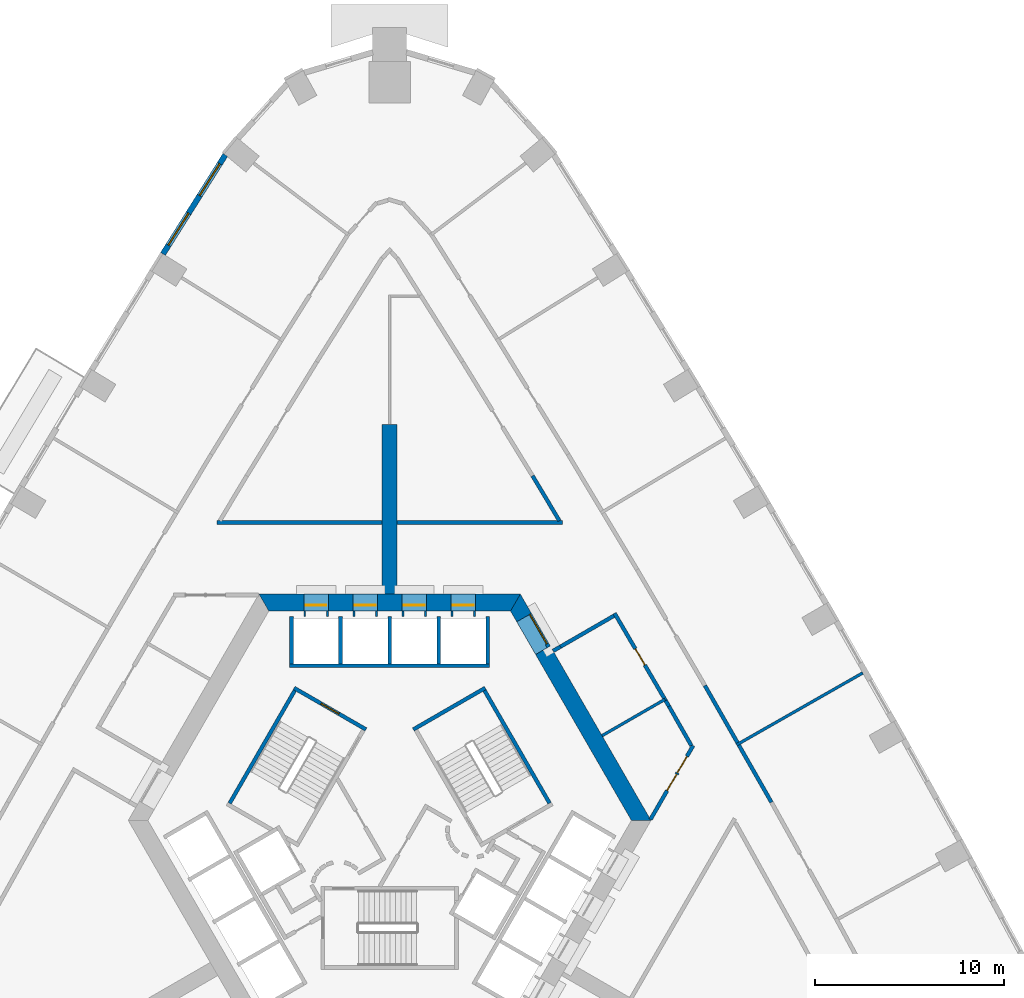
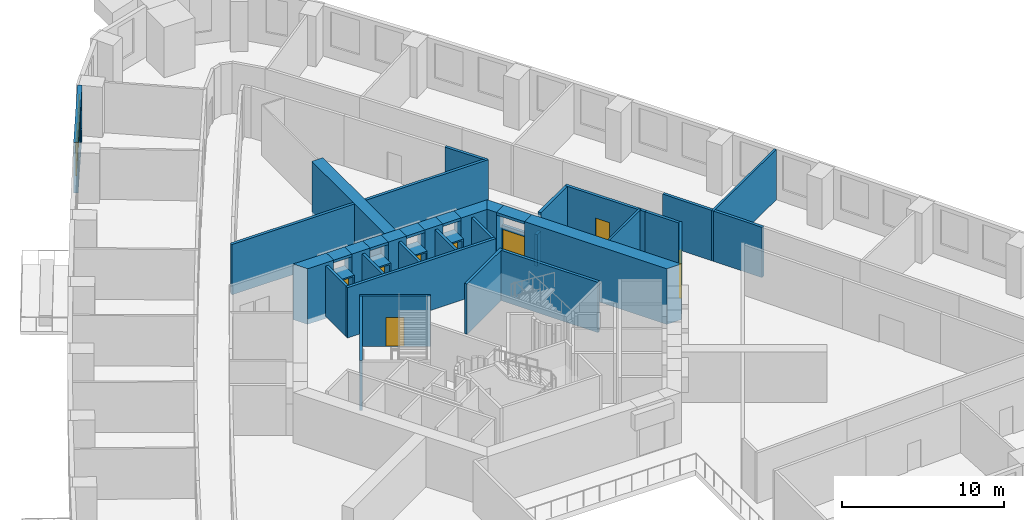
# One storey, part 9 of 15: 42 walls, 9 doors, 2 windows, 11 openings.
"""IFC4 building model written with IfcOpenShell, lengths in metres."""

from ifc_helpers import new_model, si_unit, direction, frame, frame_2d, origin, place, context, subcontext, project, spatial, polyline, rectangle, outline, extrude, material, layer, layer_set, type_object, element, fill, save


model = new_model("IFC4")

# Units and contexts
model_context = context("Model", 3, precision=1e-05, world=origin(), true_north=direction((0.0, 1.0)))
body_context = subcontext(model_context, "Body", "Model", "MODEL_VIEW")
ifc_project = project(units=[si_unit("LENGTHUNIT", "METRE"), si_unit("AREAUNIT", "SQUARE_METRE"), si_unit("VOLUMEUNIT", "CUBIC_METRE"), si_unit("PLANEANGLEUNIT", "RADIAN"), si_unit("MASSUNIT", "GRAM", prefix="KILO")], contexts=[model_context])

# Site, building, storey
site_placement = place(None, origin())
site = spatial("IfcSite", under=ifc_project, at=site_placement, CompositionType="ELEMENT")
building_placement = place(site_placement, origin())
building = spatial("IfcBuilding", under=site, at=building_placement, Name="Entoto Arch Interchange Tower", CompositionType="ELEMENT")
storey_placement = place(building_placement, frame((0.0, 0.0, 120.199951171875)))
storey = spatial("IfcBuildingStorey", under=building, at=storey_placement, Name="L26", CompositionType="ELEMENT", Elevation=120.199951171875)

# Wall
ifc_material_1 = material(Name="Concrete C60/75", Category="concrete")
ifc_layer_1 = layer(ifc_material_1, 0.800048828125)
ifc_layer_set_1 = layer_set([ifc_layer_1], Name="Concrete C60/75")
wall_type_1 = type_object("IfcWallType", Name="Buttress wall 800 C60/75", PredefinedType="SHEAR", material=ifc_layer_set_1)
wall_1_placement = place(storey_placement, frame((0.0, 14.5, -0.39990234375), z_axis=(0.0, 0.0, 1.0), x_axis=(0.0, 1.0, 0.0)))
element("IfcWall", 1, at=wall_1_placement, inside=storey, type_object=wall_type_1, Name="Buttress wall N L26", PredefinedType="SHEAR", context=body_context, shape_type="SweptSolid", body=[
    extrude(rectangle(XDim=9.0, YDim=0.800048828125, at=frame_2d((4.5, 0.0))), origin(), (0.0, 0.0, 1.0), 4.199951171875),
])

# Wall, opening, door
ifc_material_2 = material(Name="Reinforced concrete C40/50", Category="concrete")
ifc_layer_2 = layer(ifc_material_2, 0.199951171875)
ifc_layer_set_2 = layer_set([ifc_layer_2], Name="Reinforced concrete C40/50")
wall_type_2 = type_object("IfcWallType", Name="CORE GAP INFILL WALL", PredefinedType="PARTITIONING", material=ifc_layer_set_2)
wall_2_placement = place(storey_placement, frame((8.429931640625, 11.697998046875, 0.0), z_axis=(0.0, 0.0, 1.0), x_axis=(-0.50002537861, 0.866010750942, 0.0)))
wall_2 = element("IfcWall", 2, at=wall_2_placement, inside=storey, type_object=wall_type_2, Name="wall:L26:gap2", PredefinedType="PARTITIONING", context=body_context, shape_type="SweptSolid", body=[
    extrude(rectangle(XDim=2.0, YDim=0.199951171875, at=frame_2d((1.0, 0.0))), origin(), (0.0, 0.0, 1.0), 2.400146484375),
])
opening_1_placement = place(wall_2_placement, frame((0.18994140625, 0.0, 0.0)))
opening_1 = element("IfcOpeningElement", 3, at=opening_1_placement, cuts=wall_2, Name="Opening L26-D92", PredefinedType="OPENING", context=body_context, shape_type="SweptSolid", body=[
    extrude(rectangle(XDim=1.800048828125, YDim=2.10009765625, at=frame_2d((0.89990234375, 1.050048828125))), frame((0.0, 0.10986328125, 0.0), z_axis=(0.0, -1.0, 0.0), x_axis=(1.0, 0.0, 0.0)), (0.0, 0.0, 1.0), 0.219970703125),
])
ifc_material_3 = material(Name="Fire-rated Steel S235 door and frame", Category="steel")
door_type_1 = type_object("IfcDoorType", Name="DOOR FD-18 1800x2100", OperationType="DOUBLE_DOOR_SINGLE_SWING", PredefinedType="DOOR", material=ifc_material_3)
door_1_placement = place(opening_1_placement, origin())
door_1 = element("IfcDoor", 4, at=door_1_placement, inside=storey, type_object=door_type_1, Name="door:L26:gap2", OperationType="DOUBLE_DOOR_SINGLE_SWING", OverallHeight=2.10009765625, OverallWidth=1.800048828125, PredefinedType="DOOR", context=body_context, shape_type="SweptSolid", body=[
    extrude(rectangle(XDim=1.800048828125, YDim=2.10009765625, at=frame_2d((0.89990234375, 1.050048828125))), frame((0.0, 0.02490234375, 0.0), z_axis=(0.0, -1.0, 0.0), x_axis=(1.0, 0.0, 0.0)), (0.0, 0.0, 1.0), 0.050048828125),
])
fill(opening_1, door_1)

# Walls
ifc_layer_3 = layer(ifc_material_1, 0.89990234375)
ifc_layer_set_3 = layer_set([ifc_layer_3], Name="Concrete C60/75")
wall_type_3 = type_object("IfcWallType", Name="Core wall 900 C60/75", PredefinedType="SHEAR", material=ifc_layer_set_3)
wall_3_placement = place(storey_placement, frame((0.0, 0.0, -0.39990234375)))
element("IfcWall", 5, at=wall_3_placement, inside=storey, type_object=wall_type_3, Name="Core wall NE L26", PredefinedType="SHEAR", context=body_context, shape_type="SweptSolid", body=[
    extrude(outline(polyline([(8.51708984375, 11.748046875), (7.738037109375, 11.298095703125), (12.81689453125, 2.5), (13.85595703125, 2.5), (8.51708984375, 11.748046875)])), origin(), (0.0, 0.0, 1.0), 4.199951171875),
])
wall_4_placement = place(storey_placement, frame((0.0, 0.0, -0.39990234375)))
element("IfcWall", 6, at=wall_4_placement, inside=storey, type_object=wall_type_3, Name="Core wall NE L26", PredefinedType="SHEAR", context=body_context, shape_type="SweptSolid", body=[
    extrude(outline(polyline([(6.738037109375, 13.030029296875), (7.51708984375, 13.47998046875), (6.927978515625, 14.5), (6.408935546875, 13.60009765625), (6.738037109375, 13.030029296875)])), origin(), (0.0, 0.0, 1.0), 4.199951171875),
])
wall_5_placement = place(storey_placement, frame((0.0, 0.0, 3.60009765625)))
element("IfcWall", 7, at=wall_5_placement, inside=storey, type_object=wall_type_3, Name="Core wall lintel NE L26", PredefinedType="SHEAR", context=body_context, shape_type="SweptSolid", body=[
    extrude(outline(polyline([(7.51708984375, 13.47998046875), (6.738037109375, 13.030029296875), (7.738037109375, 11.298095703125), (8.51708984375, 11.748046875), (7.51708984375, 13.47998046875)])), origin(), (0.0, 0.0, 1.0), 0.199951171875),
])
wall_6_placement = place(storey_placement, frame((0.0, 0.0, -0.39990234375)))
element("IfcWall", 8, at=wall_6_placement, inside=storey, type_object=wall_type_3, Name="Core wall N L26", PredefinedType="SHEAR", context=body_context, shape_type="SweptSolid", body=[
    extrude(outline(polyline([(4.550048828125, 14.5), (4.550048828125, 13.60009765625), (6.408935546875, 13.60009765625), (6.927978515625, 14.5), (4.550048828125, 14.5)])), origin(), (0.0, 0.0, 1.0), 4.199951171875),
])
wall_7_placement = place(storey_placement, frame((0.0, 0.0, -0.39990234375)))
element("IfcWall", 9, at=wall_7_placement, inside=storey, type_object=wall_type_3, Name="Core wall N L26", PredefinedType="SHEAR", context=body_context, shape_type="SweptSolid", body=[
    extrude(outline(polyline([(1.949951171875, 14.5), (1.949951171875, 13.60009765625), (3.25, 13.60009765625), (3.25, 14.5), (1.949951171875, 14.5)])), origin(), (0.0, 0.0, 1.0), 4.199951171875),
])
wall_8_placement = place(storey_placement, frame((0.0, 0.0, -0.39990234375)))
element("IfcWall", 10, at=wall_8_placement, inside=storey, type_object=wall_type_3, Name="Core wall N L26", PredefinedType="SHEAR", context=body_context, shape_type="SweptSolid", body=[
    extrude(outline(polyline([(-0.64990234375, 14.5), (-0.64990234375, 13.60009765625), (0.64990234375, 13.60009765625), (0.64990234375, 14.5), (-0.64990234375, 14.5)])), origin(), (0.0, 0.0, 1.0), 4.199951171875),
])
wall_9_placement = place(storey_placement, frame((0.0, 0.0, -0.39990234375)))
element("IfcWall", 11, at=wall_9_placement, inside=storey, type_object=wall_type_3, Name="Core wall N L26", PredefinedType="SHEAR", context=body_context, shape_type="SweptSolid", body=[
    extrude(outline(polyline([(-3.25, 14.5), (-3.25, 13.60009765625), (-1.949951171875, 13.60009765625), (-1.949951171875, 14.5), (-3.25, 14.5)])), origin(), (0.0, 0.0, 1.0), 4.199951171875),
])
wall_10_placement = place(storey_placement, frame((0.0, 0.0, -0.39990234375)))
element("IfcWall", 12, at=wall_10_placement, inside=storey, type_object=wall_type_3, Name="Core wall N L26", PredefinedType="SHEAR", context=body_context, shape_type="SweptSolid", body=[
    extrude(outline(polyline([(-4.550048828125, 13.60009765625), (-4.550048828125, 14.5), (-6.927978515625, 14.5), (-6.408935546875, 13.60009765625), (-4.550048828125, 13.60009765625)])), origin(), (0.0, 0.0, 1.0), 4.199951171875),
])
wall_11_placement = place(storey_placement, frame((0.0, 0.0, 3.60009765625)))
element("IfcWall", 13, at=wall_11_placement, inside=storey, type_object=wall_type_3, Name="Core wall lintel N L26", PredefinedType="SHEAR", context=body_context, shape_type="SweptSolid", body=[
    extrude(outline(polyline([(3.25, 14.5), (3.25, 13.60009765625), (4.550048828125, 13.60009765625), (4.550048828125, 14.5), (3.25, 14.5)])), origin(), (0.0, 0.0, 1.0), 0.199951171875),
])
wall_12_placement = place(storey_placement, frame((0.0, 0.0, 3.60009765625)))
element("IfcWall", 14, at=wall_12_placement, inside=storey, type_object=wall_type_3, Name="Core wall lintel N L26", PredefinedType="SHEAR", context=body_context, shape_type="SweptSolid", body=[
    extrude(outline(polyline([(0.64990234375, 14.5), (0.64990234375, 13.60009765625), (1.949951171875, 13.60009765625), (1.949951171875, 14.5), (0.64990234375, 14.5)])), origin(), (0.0, 0.0, 1.0), 0.199951171875),
])
wall_13_placement = place(storey_placement, frame((0.0, 0.0, 3.60009765625)))
element("IfcWall", 15, at=wall_13_placement, inside=storey, type_object=wall_type_3, Name="Core wall lintel N L26", PredefinedType="SHEAR", context=body_context, shape_type="SweptSolid", body=[
    extrude(outline(polyline([(-1.949951171875, 14.5), (-1.949951171875, 13.60009765625), (-0.64990234375, 13.60009765625), (-0.64990234375, 14.5), (-1.949951171875, 14.5)])), origin(), (0.0, 0.0, 1.0), 0.199951171875),
])
wall_14_placement = place(storey_placement, frame((0.0, 0.0, 3.60009765625)))
element("IfcWall", 16, at=wall_14_placement, inside=storey, type_object=wall_type_3, Name="Core wall lintel N L26", PredefinedType="SHEAR", context=body_context, shape_type="SweptSolid", body=[
    extrude(outline(polyline([(-4.550048828125, 14.5), (-4.550048828125, 13.60009765625), (-3.25, 13.60009765625), (-3.25, 14.5), (-4.550048828125, 14.5)])), origin(), (0.0, 0.0, 1.0), 0.199951171875),
])

# Wall, opening, door
ifc_material_4 = material(Name="Concrete C40/50", Category="concrete")
ifc_layer_4 = layer(ifc_material_4, 1.199951171875)
ifc_layer_set_4 = layer_set([ifc_layer_4], Name="Concrete C40/50")
wall_type_4 = type_object("IfcWallType", Name="LIFT LANDING INFILL WALL", PredefinedType="STANDARD", material=ifc_layer_set_4)
wall_15_placement = place(storey_placement, frame((4.550048828125, 13.89990234375, 0.0), z_axis=(0.0, 0.0, 1.0), x_axis=(-1.0, 0.0, 0.0)))
wall_15 = element("IfcWall", 17, at=wall_15_placement, inside=storey, type_object=wall_type_4, Name="Lift landing infill wall LR1 L26", PredefinedType="STANDARD", context=body_context, shape_type="SweptSolid", body=[
    extrude(rectangle(XDim=1.300048828125, YDim=1.199951171875, at=frame_2d((0.64990234375, 0.0))), origin(), (0.0, 0.0, 1.0), 2.400146484375),
])
opening_2_placement = place(wall_15_placement, frame((0.10009765625, 0.0, 0.0)))
opening_2 = element("IfcOpeningElement", 18, at=opening_2_placement, cuts=wall_15, Name="Opening LD-LR1-L26", PredefinedType="OPENING", context=body_context, shape_type="SweptSolid", body=[
    extrude(rectangle(XDim=1.10009765625, YDim=2.300048828125, at=frame_2d((0.550048828125, 1.14990234375))), frame((0.0, 0.60986328125, 0.0), z_axis=(0.0, -1.0, 0.0), x_axis=(1.0, 0.0, 0.0)), (0.0, 0.0, 1.0), 1.219970703125),
])
ifc_material_5 = material(Name="Stainless steel 1.4301 panels", Category="steel")
door_type_2 = type_object("IfcDoorType", Name="LIFT LANDING DOOR LD2 1100x2300", OperationType="SLIDING_TO_LEFT", PredefinedType="DOOR", material=ifc_material_5)
door_2_placement = place(opening_2_placement, origin())
door_2 = element("IfcDoor", 19, at=door_2_placement, inside=storey, type_object=door_type_2, Name="Lift landing door LR1 L26", OperationType="SLIDING_TO_LEFT", OverallHeight=2.300048828125, OverallWidth=1.10009765625, PredefinedType="DOOR", context=body_context, shape_type="SweptSolid", body=[
    extrude(rectangle(XDim=1.10009765625, YDim=2.300048828125, at=frame_2d((0.550048828125, 1.14990234375))), frame((0.0, 0.02490234375, 0.0), z_axis=(0.0, -1.0, 0.0), x_axis=(1.0, 0.0, 0.0)), (0.0, 0.0, 1.0), 0.050048828125),
])
fill(opening_2, door_2)

wall_16_placement = place(storey_placement, frame((1.949951171875, 13.89990234375, 0.0), z_axis=(0.0, 0.0, 1.0), x_axis=(-1.0, 0.0, 0.0)))
wall_16 = element("IfcWall", 20, at=wall_16_placement, inside=storey, type_object=wall_type_4, Name="Lift landing infill wall LR2 L26", PredefinedType="STANDARD", context=body_context, shape_type="SweptSolid", body=[
    extrude(rectangle(XDim=1.300048828125, YDim=1.199951171875, at=frame_2d((0.64990234375, 0.0))), origin(), (0.0, 0.0, 1.0), 2.400146484375),
])
opening_3_placement = place(wall_16_placement, frame((0.10009765625, 0.0, 0.0)))
opening_3 = element("IfcOpeningElement", 21, at=opening_3_placement, cuts=wall_16, Name="Opening LD-LR2-L26", PredefinedType="OPENING", context=body_context, shape_type="SweptSolid", body=[
    extrude(rectangle(XDim=1.10009765625, YDim=2.300048828125, at=frame_2d((0.550048828125, 1.14990234375))), frame((0.0, 0.60986328125, 0.0), z_axis=(0.0, -1.0, 0.0), x_axis=(1.0, 0.0, 0.0)), (0.0, 0.0, 1.0), 1.219970703125),
])
door_3_placement = place(opening_3_placement, origin())
door_3 = element("IfcDoor", 22, at=door_3_placement, inside=storey, type_object=door_type_2, Name="Lift landing door LR2 L26", OperationType="SLIDING_TO_LEFT", OverallHeight=2.300048828125, OverallWidth=1.10009765625, PredefinedType="DOOR", context=body_context, shape_type="SweptSolid", body=[
    extrude(rectangle(XDim=1.10009765625, YDim=2.300048828125, at=frame_2d((0.550048828125, 1.14990234375))), frame((0.0, 0.02490234375, 0.0), z_axis=(0.0, -1.0, 0.0), x_axis=(1.0, 0.0, 0.0)), (0.0, 0.0, 1.0), 0.050048828125),
])
fill(opening_3, door_3)

wall_17_placement = place(storey_placement, frame((-0.64990234375, 13.89990234375, 0.0), z_axis=(0.0, 0.0, 1.0), x_axis=(-1.0, 0.0, 0.0)))
wall_17 = element("IfcWall", 23, at=wall_17_placement, inside=storey, type_object=wall_type_4, Name="Lift landing infill wall LR3 L26", PredefinedType="STANDARD", context=body_context, shape_type="SweptSolid", body=[
    extrude(rectangle(XDim=1.300048828125, YDim=1.199951171875, at=frame_2d((0.64990234375, 0.0))), origin(), (0.0, 0.0, 1.0), 2.400146484375),
])
opening_4_placement = place(wall_17_placement, frame((0.10009765625, 0.0, 0.0)))
opening_4 = element("IfcOpeningElement", 24, at=opening_4_placement, cuts=wall_17, Name="Opening LD-LR3-L26", PredefinedType="OPENING", context=body_context, shape_type="SweptSolid", body=[
    extrude(rectangle(XDim=1.10009765625, YDim=2.300048828125, at=frame_2d((0.550048828125, 1.14990234375))), frame((0.0, 0.60986328125, 0.0), z_axis=(0.0, -1.0, 0.0), x_axis=(1.0, 0.0, 0.0)), (0.0, 0.0, 1.0), 1.219970703125),
])
door_4_placement = place(opening_4_placement, origin())
door_4 = element("IfcDoor", 25, at=door_4_placement, inside=storey, type_object=door_type_2, Name="Lift landing door LR3 L26", OperationType="SLIDING_TO_LEFT", OverallHeight=2.300048828125, OverallWidth=1.10009765625, PredefinedType="DOOR", context=body_context, shape_type="SweptSolid", body=[
    extrude(rectangle(XDim=1.10009765625, YDim=2.300048828125, at=frame_2d((0.550048828125, 1.14990234375))), frame((0.0, 0.02490234375, 0.0), z_axis=(0.0, -1.0, 0.0), x_axis=(1.0, 0.0, 0.0)), (0.0, 0.0, 1.0), 0.050048828125),
])
fill(opening_4, door_4)

wall_18_placement = place(storey_placement, frame((-3.25, 13.89990234375, 0.0), z_axis=(0.0, 0.0, 1.0), x_axis=(-1.0, 0.0, 0.0)))
wall_18 = element("IfcWall", 26, at=wall_18_placement, inside=storey, type_object=wall_type_4, Name="Lift landing infill wall LR4 L26", PredefinedType="STANDARD", context=body_context, shape_type="SweptSolid", body=[
    extrude(rectangle(XDim=1.300048828125, YDim=1.199951171875, at=frame_2d((0.64990234375, 0.0))), origin(), (0.0, 0.0, 1.0), 2.400146484375),
])
opening_5_placement = place(wall_18_placement, frame((0.10009765625, 0.0, 0.0)))
opening_5 = element("IfcOpeningElement", 27, at=opening_5_placement, cuts=wall_18, Name="Opening LD-LR4-L26", PredefinedType="OPENING", context=body_context, shape_type="SweptSolid", body=[
    extrude(rectangle(XDim=1.10009765625, YDim=2.300048828125, at=frame_2d((0.550048828125, 1.14990234375))), frame((0.0, 0.60986328125, 0.0), z_axis=(0.0, -1.0, 0.0), x_axis=(1.0, 0.0, 0.0)), (0.0, 0.0, 1.0), 1.219970703125),
])
door_5_placement = place(opening_5_placement, origin())
door_5 = element("IfcDoor", 28, at=door_5_placement, inside=storey, type_object=door_type_2, Name="Lift landing door LR4 L26", OperationType="SLIDING_TO_LEFT", OverallHeight=2.300048828125, OverallWidth=1.10009765625, PredefinedType="DOOR", context=body_context, shape_type="SweptSolid", body=[
    extrude(rectangle(XDim=1.10009765625, YDim=2.300048828125, at=frame_2d((0.550048828125, 1.14990234375))), frame((0.0, 0.02490234375, 0.0), z_axis=(0.0, -1.0, 0.0), x_axis=(1.0, 0.0, 0.0)), (0.0, 0.0, 1.0), 0.050048828125),
])
fill(opening_5, door_5)

# Walls
ifc_layer_5 = layer(ifc_material_4, 0.199951171875)
ifc_layer_set_5 = layer_set([ifc_layer_5], Name="Concrete C40/50")
wall_type_5 = type_object("IfcWallType", Name="LIFT SHAFT WALL 200", PredefinedType="STANDARD", material=ifc_layer_set_5)
wall_19_placement = place(storey_placement, frame((5.300048828125, 10.699951171875, 0.0), z_axis=(0.0, 0.0, 1.0), x_axis=(-1.0, 0.0, 0.0)))
element("IfcWall", 29, at=wall_19_placement, inside=storey, type_object=wall_type_5, Name="Shaft wall N3 front", PredefinedType="STANDARD", context=body_context, shape_type="SweptSolid", body=[
    extrude(rectangle(XDim=10.60009765625, YDim=0.199951171875, at=frame_2d((5.300048828125, 0.0))), origin(), (0.0, 0.0, 1.0), 3.800048828125),
])
for number, where, z_axis, x_axis, name in (
    (30, (5.199951171875, 10.800048828125, 0.0), (0.0, 0.0, 1.0), (0.0, 1.0, 0.0), "Shaft wall N3 cross 1"),
    (31, (2.60009765625, 10.800048828125, 0.0), (0.0, 0.0, 1.0), (0.0, 1.0, 0.0), "Shaft wall N3 cross 2"),
    (32, (0.0, 10.800048828125, 0.0), (0.0, 0.0, 1.0), (0.0, 1.0, 0.0), "Shaft wall N3 cross 3"),
    (33, (-2.60009765625, 10.800048828125, 0.0), (0.0, 0.0, 1.0), (0.0, 1.0, 0.0), "Shaft wall N3 cross 4"),
    (34, (-5.199951171875, 10.800048828125, 0.0), (0.0, 0.0, 1.0), (0.0, 1.0, 0.0), "Shaft wall N3 cross 5"),
):
    element("IfcWall", number, at=place(storey_placement, frame(where, z_axis=z_axis, x_axis=x_axis)), inside=storey, type_object=wall_type_5, Name=name, PredefinedType="STANDARD", context=body_context, shape_type="SweptSolid", body=[
        extrude(rectangle(XDim=2.5, YDim=0.199951171875, at=frame_2d((1.25, 0.0))), origin(), (0.0, 0.0, 1.0), 3.800048828125),
    ])
ifc_material_6 = material(Name="Gypsum board partition on steel studs", Category="steel")
ifc_layer_6 = layer(ifc_material_6, 0.14990234375)
ifc_layer_set_6 = layer_set([ifc_layer_6], Name="Gypsum board partition on steel studs")
wall_type_6 = type_object("IfcWallType", Name="PARTITION 150", PredefinedType="PARTITIONING", material=ifc_layer_set_6)
wall_20_placement = place(storey_placement, frame((11.260986328125, 6.993896484375, 0.0), z_axis=(0.0, 0.0, 1.0), x_axis=(0.86605248387, 0.499953092981, 0.0)))
element("IfcWall", 35, at=wall_20_placement, inside=storey, type_object=wall_type_6, Name="wall:L26:p091", PredefinedType="PARTITIONING", context=body_context, shape_type="SweptSolid", body=[
    extrude(rectangle(XDim=3.848388671875, YDim=0.14990234375, at=frame_2d((1.92431640625, 0.0))), origin(), (0.0, 0.0, 1.0), 3.800048828125),
])
wall_21_placement = place(storey_placement, frame((18.39111328125, 6.506103515625, 0.0), z_axis=(0.0, 0.0, 1.0), x_axis=(0.868738258528, 0.495271479261, 0.0)))
element("IfcWall", 36, at=wall_21_placement, inside=storey, type_object=wall_type_6, Name="wall:L26:p122", PredefinedType="PARTITIONING", context=body_context, shape_type="SweptSolid", body=[
    extrude(rectangle(XDim=7.70068359375, YDim=0.14990234375, at=frame_2d((3.850341796875, 0.0))), origin(), (0.0, 0.0, 1.0), 3.800048828125),
])
ifc_layer_7 = layer(ifc_material_6, 0.199951171875)
ifc_layer_set_7 = layer_set([ifc_layer_7], Name="Gypsum board partition on steel studs")
wall_type_7 = type_object("IfcWallType", Name="PARTITION 200", PredefinedType="PARTITIONING", material=ifc_layer_set_7)
wall_22_placement = place(storey_placement, frame((15.992919921875, 6.472900390625, 0.0), z_axis=(0.0, 0.0, 1.0), x_axis=(-0.495159881733, 0.86880187127, 0.0)))
element("IfcWall", 37, at=wall_22_placement, inside=storey, type_object=wall_type_7, Name="wall:L26:p005", PredefinedType="PARTITIONING", context=body_context, shape_type="SweptSolid", body=[
    extrude(rectangle(XDim=2.390869140625, YDim=0.199951171875, at=frame_2d((1.1953125, 0.0))), origin(), (0.0, 0.0, 1.0), 3.800048828125),
])
wall_23_placement = place(storey_placement, frame((14.80908203125, 8.550048828125, 0.0), z_axis=(0.0, 0.0, 1.0), x_axis=(-0.50443330283, 0.86345066043, 0.0)))
element("IfcWall", 38, at=wall_23_placement, inside=storey, type_object=wall_type_7, Name="wall:L26:p006", PredefinedType="PARTITIONING", context=body_context, shape_type="SweptSolid", body=[
    extrude(rectangle(XDim=0.350830078125, YDim=0.199951171875, at=frame_2d((0.17529296875, 0.0))), origin(), (0.0, 0.0, 1.0), 3.800048828125),
])

# Wall, opening, door
wall_24_placement = place(storey_placement, frame((14.632080078125, 8.85302734375, 0.0), z_axis=(0.0, 0.0, 1.0), x_axis=(-0.504798859257, 0.863236996249, 0.0)))
wall_24 = element("IfcWall", 39, at=wall_24_placement, inside=storey, type_object=wall_type_7, Name="wall:L26:p007", PredefinedType="PARTITIONING", context=body_context, shape_type="SweptSolid", body=[
    extrude(rectangle(XDim=5.364501953125, YDim=0.199951171875, at=frame_2d((2.68212890625, 0.0))), origin(), (0.0, 0.0, 1.0), 3.800048828125),
])
opening_6_placement = place(wall_24_placement, frame((2.181884765625, 0.0, 0.0)))
opening_6 = element("IfcOpeningElement", 40, at=opening_6_placement, cuts=wall_24, Name="Opening L26-D27", PredefinedType="OPENING", context=body_context, shape_type="SweptSolid", body=[
    extrude(rectangle(XDim=1.0, YDim=2.10009765625, at=frame_2d((0.5, 1.050048828125))), frame((0.0, 0.10986328125, 0.0), z_axis=(0.0, -1.0, 0.0), x_axis=(1.0, 0.0, 0.0)), (0.0, 0.0, 1.0), 0.219970703125),
])
ifc_material_7 = material(Name="Timber door leaf in Steel S235 frame", Category="steel")
door_type_3 = type_object("IfcDoorType", Name="DOOR DS-10 1000x2100", OperationType="SINGLE_SWING_LEFT", PredefinedType="DOOR", material=ifc_material_7)
door_6_placement = place(opening_6_placement, origin())
door_6 = element("IfcDoor", 41, at=door_6_placement, inside=storey, type_object=door_type_3, Name="door:L26:27", OperationType="SINGLE_SWING_LEFT", OverallHeight=2.10009765625, OverallWidth=1.0, PredefinedType="DOOR", context=body_context, shape_type="SweptSolid", body=[
    extrude(rectangle(XDim=1.0, YDim=2.10009765625, at=frame_2d((0.5, 1.050048828125))), frame((0.0, 0.02490234375, 0.0), z_axis=(0.0, -1.0, 0.0), x_axis=(1.0, 0.0, 0.0)), (0.0, 0.0, 1.0), 0.050048828125),
])
fill(opening_6, door_6)

# Walls
wall_25_placement = place(storey_placement, frame((11.887939453125, 13.347900390625, 0.0), z_axis=(0.0, 0.0, 1.0), x_axis=(-0.865959227195, -0.500114603702, 0.0)))
element("IfcWall", 42, at=wall_25_placement, inside=storey, type_object=wall_type_7, Name="wall:L26:p008", PredefinedType="PARTITIONING", context=body_context, shape_type="SweptSolid", body=[
    extrude(rectangle(XDim=3.269287109375, YDim=0.199951171875, at=frame_2d((1.634765625, 0.0))), origin(), (0.0, 0.0, 1.0), 3.800048828125),
])
wall_26_placement = place(storey_placement, frame((9.0029296875, 18.385986328125, 0.0), z_axis=(0.0, 0.0, 1.0), x_axis=(-0.513900868925, 0.857849577092, 0.0)))
element("IfcWall", 43, at=wall_26_placement, inside=storey, type_object=wall_type_7, Name="wall:L26:p009", PredefinedType="PARTITIONING", context=body_context, shape_type="SweptSolid", body=[
    extrude(rectangle(XDim=2.77685546875, YDim=0.199951171875, at=frame_2d((1.388427734375, 0.0))), origin(), (0.0, 0.0, 1.0), 3.800048828125),
])
wall_27_placement = place(storey_placement, frame((18.514892578125, 6.490966796875, 0.0), z_axis=(0.0, 0.0, 1.0), x_axis=(0.495309264725, -0.868716715781, 0.0)))
element("IfcWall", 44, at=wall_27_placement, inside=storey, type_object=wall_type_7, Name="wall:L26:p045", PredefinedType="PARTITIONING", context=body_context, shape_type="SweptSolid", body=[
    extrude(rectangle(XDim=3.48681640625, YDim=0.199951171875, at=frame_2d((1.743408203125, 0.0))), origin(), (0.0, 0.0, 1.0), 3.800048828125),
])
wall_28_placement = place(storey_placement, frame((16.714111328125, 9.64990234375, 0.0), z_axis=(0.0, 0.0, 1.0), x_axis=(0.495286549488, -0.868729666753, 0.0)))
element("IfcWall", 45, at=wall_28_placement, inside=storey, type_object=wall_type_7, Name="wall:L26:p049", PredefinedType="PARTITIONING", context=body_context, shape_type="SweptSolid", body=[
    extrude(rectangle(XDim=3.486572265625, YDim=0.199951171875, at=frame_2d((1.7431640625, 0.0))), origin(), (0.0, 0.0, 1.0), 3.800048828125),
])

# Wall, openings, doors
wall_29_placement = place(storey_placement, frame((13.826904296875, 2.550048828125, 0.0), z_axis=(0.0, 0.0, 1.0), x_axis=(0.500045913515, 0.865998893981, 0.0)))
wall_29 = element("IfcWall", 46, at=wall_29_placement, inside=storey, type_object=wall_type_7, Name="wall:L26:p092", PredefinedType="PARTITIONING", context=body_context, shape_type="SweptSolid", body=[
    extrude(rectangle(XDim=4.52978515625, YDim=0.199951171875, at=frame_2d((2.264892578125, 0.0))), origin(), (0.0, 0.0, 1.0), 3.800048828125),
])
opening_7_placement = place(wall_29_placement, frame((1.764892578125, 0.0, 0.0)))
opening_7 = element("IfcOpeningElement", 47, at=opening_7_placement, cuts=wall_29, Name="Opening L26-D26", PredefinedType="OPENING", context=body_context, shape_type="SweptSolid", body=[
    extrude(rectangle(XDim=1.0, YDim=2.10009765625, at=frame_2d((0.5, 1.050048828125))), frame((0.0, 0.10986328125, 0.0), z_axis=(0.0, -1.0, 0.0), x_axis=(1.0, 0.0, 0.0)), (0.0, 0.0, 1.0), 0.219970703125),
])
opening_8_placement = place(wall_29_placement, frame((2.864990234375, 0.0, 0.0)))
opening_8 = element("IfcOpeningElement", 48, at=opening_8_placement, cuts=wall_29, Name="Opening L26-D33", PredefinedType="OPENING", context=body_context, shape_type="SweptSolid", body=[
    extrude(rectangle(XDim=1.0, YDim=2.10009765625, at=frame_2d((0.5, 1.050048828125))), frame((0.0, 0.10986328125, 0.0), z_axis=(0.0, -1.0, 0.0), x_axis=(1.0, 0.0, 0.0)), (0.0, 0.0, 1.0), 0.219970703125),
])
door_7_placement = place(opening_7_placement, origin())
door_7 = element("IfcDoor", 49, at=door_7_placement, inside=storey, type_object=door_type_3, Name="door:L26:26", OperationType="SINGLE_SWING_LEFT", OverallHeight=2.10009765625, OverallWidth=1.0, PredefinedType="DOOR", context=body_context, shape_type="SweptSolid", body=[
    extrude(rectangle(XDim=1.0, YDim=2.10009765625, at=frame_2d((0.5, 1.050048828125))), frame((0.0, 0.02490234375, 0.0), z_axis=(0.0, -1.0, 0.0), x_axis=(1.0, 0.0, 0.0)), (0.0, 0.0, 1.0), 0.050048828125),
])
fill(opening_7, door_7)
door_8_placement = place(opening_8_placement, origin())
door_8 = element("IfcDoor", 50, at=door_8_placement, inside=storey, type_object=door_type_3, Name="door:L26:33", OperationType="SINGLE_SWING_RIGHT", OverallHeight=2.10009765625, OverallWidth=1.0, PredefinedType="DOOR", context=body_context, shape_type="SweptSolid", body=[
    extrude(rectangle(XDim=1.0, YDim=2.10009765625, at=frame_2d((0.5, 1.050048828125))), frame((0.0, 0.02490234375, 0.0), z_axis=(0.0, -1.0, 0.0), x_axis=(1.0, 0.0, 0.0)), (0.0, 0.0, 1.0), 0.050048828125),
])
fill(opening_8, door_8)

# Walls
for number, where, z_axis, x_axis, name in (
    (51, (0.39990234375, 18.300048828125, 0.0), (0.0, 0.0, 1.0), (1.0, 0.0, 0.0), "wall:L26:p114"),
    (52, (-9.155029296875, 18.300048828125, 0.0), (0.0, 0.0, 1.0), (1.0, 0.0, 0.0), "wall:L26:p115"),
):
    element("IfcWall", number, at=place(storey_placement, frame(where, z_axis=z_axis, x_axis=x_axis)), inside=storey, type_object=wall_type_7, Name=name, PredefinedType="PARTITIONING", context=body_context, shape_type="SweptSolid", body=[
        extrude(rectangle(XDim=8.755126953125, YDim=0.199951171875, at=frame_2d((4.37744140625, 0.0))), origin(), (0.0, 0.0, 1.0), 3.800048828125),
    ])
wall_30_placement = place(storey_placement, frame((9.056884765625, 11.712890625, 0.0), z_axis=(0.0, 0.0, 1.0), x_axis=(-0.866266849364, -0.49958157061, 0.0)))
element("IfcWall", 53, at=wall_30_placement, inside=storey, type_object=wall_type_7, Name="wall:L26:p008", PredefinedType="PARTITIONING", context=body_context, shape_type="SweptSolid", body=[
    extrude(rectangle(XDim=0.4501953125, YDim=0.199951171875, at=frame_2d((0.22509765625, 0.0))), origin(), (0.0, 0.0, 1.0), 2.400146484375),
])
ifc_layer_8 = layer(ifc_material_4, 0.199951171875)
ifc_layer_set_8 = layer_set([ifc_layer_8], Name="Concrete C40/50")
wall_type_8 = type_object("IfcWallType", Name="STAIR ENCLOSURE WALL 200", PredefinedType="STANDARD", material=ifc_layer_set_8)
wall_31_placement = place(storey_placement, frame((1.256103515625, 7.323974609375, 0.0), z_axis=(0.0, 0.0, 1.0), x_axis=(0.866046073146, 0.499964197906, 0.0)))
element("IfcWall", 54, at=wall_31_placement, inside=storey, type_object=wall_type_8, Name="Stair wall ST-NE far", PredefinedType="STANDARD", context=body_context, shape_type="SweptSolid", body=[
    extrude(rectangle(XDim=4.400146484375, YDim=0.199951171875, at=frame_2d((2.2001953125, 0.0))), origin(), (0.0, 0.0, 1.0), 3.800048828125),
])
wall_32_placement = place(storey_placement, frame((8.47998046875, 3.412109375, 0.0), z_axis=(0.0, 0.0, 1.0), x_axis=(-0.499978703459, 0.866037698999, 0.0)))
element("IfcWall", 55, at=wall_32_placement, inside=storey, type_object=wall_type_8, Name="Stair wall ST-NE back", PredefinedType="STANDARD", context=body_context, shape_type="SweptSolid", body=[
    extrude(rectangle(XDim=6.900146484375, YDim=0.199951171875, at=frame_2d((3.4501953125, 0.0))), origin(), (0.0, 0.0, 1.0), 3.800048828125),
])

# Wall, opening, door
wall_33_placement = place(storey_placement, frame((-1.256103515625, 7.323974609375, 0.0), z_axis=(0.0, 0.0, 1.0), x_axis=(-0.866046073146, 0.499964197906, 0.0)))
wall_33 = element("IfcWall", 56, at=wall_33_placement, inside=storey, type_object=wall_type_8, Name="Stair wall ST-NW near", PredefinedType="STANDARD", context=body_context, shape_type="SweptSolid", body=[
    extrude(rectangle(XDim=4.400146484375, YDim=0.199951171875, at=frame_2d((2.2001953125, 0.0))), origin(), (0.0, 0.0, 1.0), 3.800048828125),
])
opening_9_placement = place(wall_33_placement, frame((1.64990234375, 0.0, 0.0)))
opening_9 = element("IfcOpeningElement", 57, at=opening_9_placement, cuts=wall_33, Name="Opening SD-ST-NW-L26-E", PredefinedType="OPENING", context=body_context, shape_type="SweptSolid", body=[
    extrude(rectangle(XDim=1.10009765625, YDim=2.199951171875, at=frame_2d((0.550048828125, 1.10009765625))), frame((0.0, 0.10986328125, 0.0), z_axis=(0.0, -1.0, 0.0), x_axis=(1.0, 0.0, 0.0)), (0.0, 0.0, 1.0), 0.219970703125),
])
ifc_material_8 = material(Name="Steel S235", Category="steel")
door_type_4 = type_object("IfcDoorType", Name="STAIR DOOR SD1 1100x2200", OperationType="SINGLE_SWING_LEFT", PredefinedType="DOOR", material=ifc_material_8)
door_9_placement = place(opening_9_placement, origin())
door_9 = element("IfcDoor", 58, at=door_9_placement, inside=storey, type_object=door_type_4, Name="Stair door ST-NW L26 end", OperationType="SINGLE_SWING_LEFT", OverallHeight=2.199951171875, OverallWidth=1.10009765625, PredefinedType="DOOR", context=body_context, shape_type="SweptSolid", body=[
    extrude(rectangle(XDim=1.10009765625, YDim=2.199951171875, at=frame_2d((0.550048828125, 1.10009765625))), frame((0.0, 0.02490234375, 0.0), z_axis=(0.0, -1.0, 0.0), x_axis=(1.0, 0.0, 0.0)), (0.0, 0.0, 1.0), 0.050048828125),
])
fill(opening_9, door_9)

# Wall
wall_34_placement = place(storey_placement, frame((-5.030029296875, 9.387939453125, 0.0), z_axis=(0.0, 0.0, 1.0), x_axis=(-0.499978703459, -0.866037698999, 0.0)))
element("IfcWall", 59, at=wall_34_placement, inside=storey, type_object=wall_type_8, Name="Stair wall ST-NW back", PredefinedType="STANDARD", context=body_context, shape_type="SweptSolid", body=[
    extrude(rectangle(XDim=6.900146484375, YDim=0.199951171875, at=frame_2d((3.4501953125, 0.0))), origin(), (0.0, 0.0, 1.0), 3.800048828125),
])

# Wall, openings, windows
ifc_material_9 = material(Name="Welded tuff (ignimbrite) cladding, warm buff", Category="masonry")
ifc_layer_9 = layer(ifc_material_9, 0.300048828125)
ifc_layer_set_9 = layer_set([ifc_layer_9], Name="Welded tuff (ignimbrite) cladding, warm buff")
wall_type_9 = type_object("IfcWallType", Name="STONE INFILL WALL 300", PredefinedType="STANDARD", material=ifc_layer_set_9)
wall_35_placement = place(storey_placement, frame((-8.714111328125, 37.783935546875, 0.0), z_axis=(0.0, 0.0, 1.0), x_axis=(-0.532699467907, -0.846304482377, 0.0)))
wall_35 = element("IfcWall", 60, at=wall_35_placement, inside=storey, type_object=wall_type_9, Name="Facade wall NW-01 L26", PredefinedType="STANDARD", context=body_context, shape_type="SweptSolid", body=[
    extrude(rectangle(XDim=6.202392578125, YDim=0.300048828125, at=frame_2d((3.10107421875, 0.0))), origin(), (0.0, 0.0, 1.0), 3.800048828125),
])
opening_10_placement = place(wall_35_placement, frame((0.551025390625, 0.0, 0.89990234375)))
opening_10 = element("IfcOpeningElement", 61, at=opening_10_placement, cuts=wall_35, Name="Opening WO-C", PredefinedType="OPENING", context=body_context, shape_type="SweptSolid", body=[
    extrude(rectangle(XDim=2.0, YDim=2.60009765625, at=frame_2d((1.0, 1.300048828125))), frame((0.0, 0.16015625, 0.0), z_axis=(0.0, -1.0, 0.0), x_axis=(1.0, 0.0, 0.0)), (0.0, 0.0, 1.0), 0.320068359375),
])
opening_11_placement = place(wall_35_placement, frame((3.652099609375, 0.0, 0.89990234375)))
opening_11 = element("IfcOpeningElement", 62, at=opening_11_placement, cuts=wall_35, Name="Opening WO-C", PredefinedType="OPENING", context=body_context, shape_type="SweptSolid", body=[
    extrude(rectangle(XDim=2.0, YDim=2.60009765625, at=frame_2d((1.0, 1.300048828125))), frame((0.0, 0.16015625, 0.0), z_axis=(0.0, -1.0, 0.0), x_axis=(1.0, 0.0, 0.0)), (0.0, 0.0, 1.0), 0.320068359375),
])
ifc_material_10 = material(Name="Clear glass, low-e double glazed", Category="glass")
window_type = type_object("IfcWindowType", Name="WINDOW WO-C 2000x2600", PartitioningType="DOUBLE_PANEL_VERTICAL", PredefinedType="WINDOW", material=ifc_material_10)
window_1_placement = place(opening_10_placement, origin())
window_1 = element("IfcWindow", 63, at=window_1_placement, inside=storey, type_object=window_type, Name="Window WO-C NW-01 L26", OverallHeight=2.60009765625, OverallWidth=2.0, PartitioningType="SINGLE_PANEL", PredefinedType="WINDOW", context=body_context, shape_type="SweptSolid", body=[
    extrude(rectangle(XDim=2.0, YDim=2.60009765625, at=frame_2d((1.0, 1.300048828125))), frame((0.0, 0.030029296875, 0.0), z_axis=(0.0, -1.0, 0.0), x_axis=(1.0, 0.0, 0.0)), (0.0, 0.0, 1.0), 0.06005859375),
])
fill(opening_10, window_1)
window_2_placement = place(opening_11_placement, origin())
window_2 = element("IfcWindow", 64, at=window_2_placement, inside=storey, type_object=window_type, Name="Window WO-C NW-01 L26", OverallHeight=2.60009765625, OverallWidth=2.0, PartitioningType="SINGLE_PANEL", PredefinedType="WINDOW", context=body_context, shape_type="SweptSolid", body=[
    extrude(rectangle(XDim=2.0, YDim=2.60009765625, at=frame_2d((1.0, 1.300048828125))), frame((0.0, 0.030029296875, 0.0), z_axis=(0.0, -1.0, 0.0), x_axis=(1.0, 0.0, 0.0)), (0.0, 0.0, 1.0), 0.06005859375),
])
fill(opening_11, window_2)

save(model, "model.ifc")
